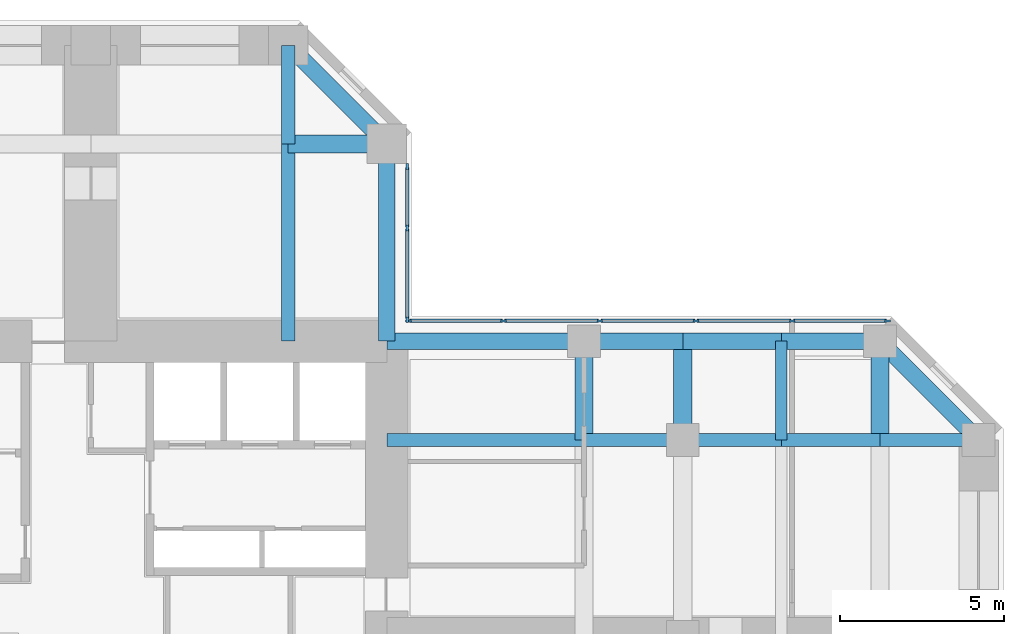
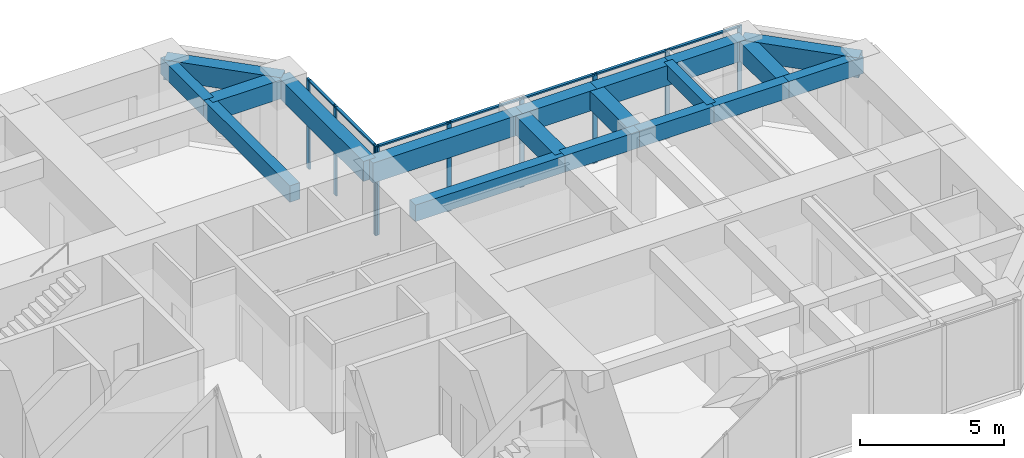
# One storey, part 6 of 12: 19 beams, 16 members, 2 elements without a shape of their own.
"""IFC4 building model written with IfcOpenShell, lengths in metres."""

import ifcopenshell
import ifcopenshell.guid

model = None  # the IFC model being written
_history = None  # IfcOwnerHistory: only IFC2X3 demands one
_inside = {}  # id of a spatial element -> (the spatial element, [elements in it])
_under = {}  # id of a project, library or spatial element -> (it, [spatial elements below it])
_declared = {}  # id of a project -> (the project, [libraries it declares])
_typed = {}  # id of a type object -> (the type object, [elements of that type])
_made_of = {}  # id of a material, layer set ... -> (it, [elements and type objects made of it])


def new_model(schema):
    """Start an empty IFC model of exactly this schema.

    Asked for "IFC4X3", IfcOpenShell would pick the latest addendum, in which some entities
    have other attributes; the version numbers below select the first issue.
    IFC2X3 requires an IfcOwnerHistory on every rooted entity: one is made here for all.
    """
    global model, _history
    if schema == "IFC4X3":
        model = ifcopenshell.file(schema_version=(4, 3, 0, 0))
    else:
        model = ifcopenshell.file(schema=schema)
    _inside.clear()
    _under.clear()
    _declared.clear()
    _typed.clear()
    _made_of.clear()
    _history = None
    if model.schema == "IFC2X3":
        org = make("IfcOrganization", Name="unknown")
        user = make(
            "IfcPersonAndOrganization",
            ThePerson=make("IfcPerson", FamilyName="unknown"),
            TheOrganization=org,
        )
        app = make(
            "IfcApplication",
            ApplicationDeveloper=org,
            Version="unknown",
            ApplicationFullName="unknown",
            ApplicationIdentifier="unknown",
        )
        _history = make(
            "IfcOwnerHistory",
            OwningUser=user,
            OwningApplication=app,
            ChangeAction="ADDED",
            CreationDate=0,
        )
    return model


def make(cls, **values):
    """One entity of the class cls with the attributes given. An attribute that is None is left unset."""
    return model.create_entity(
        cls, **{name: value for name, value in values.items() if value is not None}
    )


def rooted(cls, **values):
    """An entity with a GlobalId (a new one), such as an element, a storey or a relation."""
    return make(cls, GlobalId=ifcopenshell.guid.new(), OwnerHistory=_history, **values)


def si_unit(unit_type, name, prefix=None):
    """IfcSIUnit, for example si_unit("LENGTHUNIT", "METRE", prefix="MILLI")."""
    return make("IfcSIUnit", UnitType=unit_type, Prefix=prefix, Name=name)


def assignment(units):
    """IfcUnitAssignment: the units of a project."""
    return None if units is None else make("IfcUnitAssignment", Units=units)


def point(xyz):
    """IfcCartesianPoint."""
    return None if xyz is None else make("IfcCartesianPoint", Coordinates=xyz)


def direction(xyz):
    """IfcDirection."""
    return None if xyz is None else make("IfcDirection", DirectionRatios=xyz)


def frame(location, z_axis=None, x_axis=None):
    """IfcAxis2Placement3D, a coordinate frame: its origin and axes. An axis left out is left unset."""
    return make(
        "IfcAxis2Placement3D",
        Location=point(location),
        Axis=direction(z_axis),
        RefDirection=direction(x_axis),
    )


def frame_2d(location, x_axis=None):
    """IfcAxis2Placement2D, a coordinate frame in the plane: its origin and x axis."""
    return make(
        "IfcAxis2Placement2D", Location=point(location), RefDirection=direction(x_axis)
    )


def origin():
    """The frame at (0, 0, 0) with its axes left unset."""
    return frame((0.0, 0.0, 0.0))


def origin_2d():
    """The frame at (0, 0) in the plane with its x axis left unset."""
    return frame_2d((0.0, 0.0))


def place(relative_to, where):
    """IfcLocalPlacement: puts the frame where relative to a parent placement (None: the world)."""
    return make(
        "IfcLocalPlacement", PlacementRelTo=relative_to, RelativePlacement=where
    )


def context(
    kind, dimensions, precision=None, world=None, true_north=None, identifier=None
):
    """IfcGeometricRepresentationContext, for example the 3D "Model" context."""
    return make(
        "IfcGeometricRepresentationContext",
        ContextIdentifier=identifier,
        ContextType=kind,
        CoordinateSpaceDimension=dimensions,
        Precision=precision,
        WorldCoordinateSystem=world,
        TrueNorth=true_north,
    )


def subcontext(parent, identifier, kind, view, scale=None):
    """IfcGeometricRepresentationSubContext, for example "Body" below "Model"."""
    return make(
        "IfcGeometricRepresentationSubContext",
        ContextIdentifier=identifier,
        ContextType=kind,
        ParentContext=parent,
        TargetScale=scale,
        TargetView=view,
    )


def project(units=None, contexts=None):
    """IfcProject with its units and contexts."""
    return rooted(
        "IfcProject",
        Name="project",
        RepresentationContexts=contexts,
        UnitsInContext=assignment(units),
    )


def spatial(cls, under=None, at=None, **own):
    """A site, building, storey or space (cls), placed at a placement, below another one or the project."""
    s = rooted(cls, ObjectPlacement=at, **own)
    if under is not None:
        _under.setdefault(under.id(), (under, []))[1].append(s)
    return s


def profile(cls, at=None, kind="AREA", **sizes):
    """A parametric profile (cls). Its sizes go by their IFC names, for example OverallWidth=200.0."""
    return make(cls, ProfileType=kind, Position=at, **sizes)


def rectangle(**sizes):
    """IfcRectangleProfileDef."""
    return profile("IfcRectangleProfileDef", **sizes)


def extrude(swept, where, along, depth):
    """IfcExtrudedAreaSolid: the profile swept, set in the frame where, extruded along a direction by depth."""
    return make(
        "IfcExtrudedAreaSolid",
        SweptArea=swept,
        Position=where,
        ExtrudedDirection=direction(along),
        Depth=depth,
    )


def shape(context_of_items, identifier, shape_type, items):
    """IfcShapeRepresentation: the items that make up one representation, for example the "Body"."""
    return make(
        "IfcShapeRepresentation",
        ContextOfItems=context_of_items,
        RepresentationIdentifier=identifier,
        RepresentationType=shape_type,
        Items=items,
    )


def material(Name=None, Category=None):
    """IfcMaterial."""
    return make("IfcMaterial", Name=Name, Category=Category)


def material_profile(
    of_material, cross_section, Name=None, Category=None, Priority=None
):
    """IfcMaterialProfile: a cross section and its material."""
    return make(
        "IfcMaterialProfile",
        Name=Name,
        Material=of_material,
        Profile=cross_section,
        Priority=Priority,
        Category=Category,
    )


def profile_set(profiles, Name=None, composite=None):
    """IfcMaterialProfileSet."""
    return make(
        "IfcMaterialProfileSet",
        Name=Name,
        MaterialProfiles=profiles,
        CompositeProfile=composite,
    )


def made_of(thing, what):
    """Note that an element or type object is made of a material, layer set ...; save() writes the relation."""
    if what is not None:
        _made_of.setdefault(what.id(), (what, []))[1].append(thing)
    return thing


def type_object(cls, material=None, **own):
    """A type object (cls), such as IfcWallType, which elements share."""
    return made_of(rooted(cls, **own), material)


def element(
    cls,
    number,
    at=None,
    inside=None,
    cuts=None,
    type_object=None,
    material=None,
    context=None,
    identifier="Body",
    shape_type=None,
    held_by="IfcProductDefinitionShape",
    body=None,
    shapes=None,
    **own,
):
    """One element of the class cls, such as IfcWall. Its Tag is "e" and its number.

    at: its placement. inside: the storey or other place that contains it. cuts: it is an
    opening in that element (IfcRelVoidsElement). A single representation is given by context,
    identifier, shape_type and body (its items); several are given by shapes. held_by: the class
    of the entity that holds the representations. save() writes the other relations.
    """
    e = rooted(cls, Tag="e%d" % number, ObjectPlacement=at, **own)
    if body is not None:
        shapes = [shape(context, identifier, shape_type, body)]
    if shapes is not None:
        e.Representation = make(held_by, Representations=shapes)
    if inside is not None:
        _inside.setdefault(inside.id(), (inside, []))[1].append(e)
    if cuts is not None:
        rooted(
            "IfcRelVoidsElement", RelatingBuildingElement=cuts, RelatedOpeningElement=e
        )
    if type_object is not None:
        _typed.setdefault(type_object.id(), (type_object, []))[1].append(e)
    return made_of(e, material)


def aggregate(whole, parts):
    """IfcRelAggregates: a whole, such as a stair, and the parts it consists of."""
    return rooted("IfcRelAggregates", RelatingObject=whole, RelatedObjects=parts)


def save(model, path):
    """Write the relations noted so far, then the file.

    IfcRelAggregates (storeys below a building ...), IfcRelContainedInSpatialStructure (elements
    in a storey), IfcRelDefinesByType, IfcRelAssociatesMaterial and IfcRelDeclares: one each for
    every whole, place, type object, material and project.
    """
    for whole, parts in _under.values():
        aggregate(whole, parts)
    for where, things in _inside.values():
        rooted(
            "IfcRelContainedInSpatialStructure",
            RelatedElements=things,
            RelatingStructure=where,
        )
    for kind, things in _typed.values():
        rooted("IfcRelDefinesByType", RelatedObjects=things, RelatingType=kind)
    for what, things in _made_of.values():
        rooted("IfcRelAssociatesMaterial", RelatedObjects=things, RelatingMaterial=what)
    for by, libraries in _declared.values():
        rooted("IfcRelDeclares", RelatingContext=by, RelatedDefinitions=libraries)
    model.write(path)


model = new_model("IFC4")

# Units and contexts
model_context = context("Model", 3, precision=1e-05, world=origin(), true_north=direction((0.0, 1.0)))
body_context = subcontext(model_context, "Body", "Model", "MODEL_VIEW")
ifc_project = project(units=[si_unit("LENGTHUNIT", "METRE"), si_unit("AREAUNIT", "SQUARE_METRE"), si_unit("VOLUMEUNIT", "CUBIC_METRE"), si_unit("PLANEANGLEUNIT", "RADIAN"), si_unit("MASSUNIT", "GRAM", prefix="KILO")], contexts=[model_context])

# Site, building, storey
site_placement = place(None, origin())
site = spatial("IfcSite", under=ifc_project, at=site_placement, CompositionType="ELEMENT")
building_placement = place(site_placement, origin())
building = spatial("IfcBuilding", under=site, at=building_placement, Name="Torre Cruceta", CompositionType="ELEMENT")
storey_placement = place(building_placement, frame((0.0, 0.0, 112.5)))
storey = spatial("IfcBuildingStorey", under=building, at=storey_placement, Name="L27", CompositionType="ELEMENT", Elevation=112.5)

# Beams
ifc_material_1 = material(Name="Concrete G60 (fck 60 MPa)", Category="concrete")
ifc_material_profile_1 = material_profile(ifc_material_1, rectangle(XDim=0.39990234375, YDim=0.699951171875, at=origin_2d()), Name="RC 400X700")
ifc_profile_set_1 = profile_set([ifc_material_profile_1], Name="Concrete G60 (fck 60 MPa)")
beam_type_1 = type_object("IfcBeamType", Name="COLUMN LINE BEAM RC 400X700", PredefinedType="BEAM", material=ifc_profile_set_1)
beam_1_placement = place(storey_placement, frame((6.0, 9.0, 3.449951171875), z_axis=(0.0, 1.0, 0.0), x_axis=(-1.0, 0.0, 0.0)))
element("IfcBeam", 1, at=beam_1_placement, inside=storey, type_object=beam_type_1, Name="LB5 L27 N col- 1", PredefinedType="BEAM", context=body_context, shape_type="SweptSolid", body=[
    extrude(rectangle(XDim=0.39990234375, YDim=0.699951171875, at=origin_2d()), origin(), (0.0, 0.0, 1.0), 6.0),
])
beam_2_placement = place(storey_placement, frame((6.0, 15.0, 3.449951171875), z_axis=(0.0, 1.0, 0.0), x_axis=(-1.0, 0.0, 0.0)))
element("IfcBeam", 2, at=beam_2_placement, inside=storey, type_object=beam_type_1, Name="LB5 L27 N col- 2", PredefinedType="BEAM", context=body_context, shape_type="SweptSolid", body=[
    extrude(rectangle(XDim=0.39990234375, YDim=0.699951171875, at=origin_2d()), origin(), (0.0, 0.0, 1.0), 3.0),
])
beam_3_placement = place(storey_placement, frame((9.0, 6.0, 3.449951171875), z_axis=(1.0, 0.0, 0.0), x_axis=(0.0, 1.0, 0.0)))
element("IfcBeam", 3, at=beam_3_placement, inside=storey, type_object=beam_type_1, Name="LB5 L27 E col+ 1", PredefinedType="BEAM", context=body_context, shape_type="SweptSolid", body=[
    extrude(rectangle(XDim=0.39990234375, YDim=0.699951171875, at=origin_2d()), origin(), (0.0, 0.0, 1.0), 6.0),
])
for number, where, z_axis, x_axis, name in (
    (4, (15.0, 6.0, 3.449951171875), (1.0, 0.0, 0.0), (0.0, 1.0, 0.0), "LB5 L27 E col+ 2"),
    (5, (18.0, 6.0, 3.449951171875), (1.0, 0.0, 0.0), (0.0, 1.0, 0.0), "LB5 L27 E col+ 3"),
    (6, (21.0, 6.0, 3.449951171875), (1.0, 0.0, 0.0), (0.0, 1.0, 0.0), "LB5 L27 E col+ 4"),
    (7, (24.0, 6.0, 3.449951171875), (1.0, 0.0, 0.0), (0.0, 1.0, 0.0), "LB5 L27 E col+ 5"),
):
    element("IfcBeam", number, at=place(storey_placement, frame(where, z_axis=z_axis, x_axis=x_axis)), inside=storey, type_object=beam_type_1, Name=name, PredefinedType="BEAM", context=body_context, shape_type="SweptSolid", body=[
        extrude(rectangle(XDim=0.39990234375, YDim=0.699951171875, at=origin_2d()), origin(), (0.0, 0.0, 1.0), 3.0),
    ])
ifc_material_2 = material(Name="Concrete G60 (fck 60 MPa)", Category="concrete")
ifc_material_profile_2 = material_profile(ifc_material_2, rectangle(XDim=0.550048828125, YDim=0.800048828125, at=origin_2d()), Name="RC 550X800")
ifc_profile_set_2 = profile_set([ifc_material_profile_2], Name="Concrete G60 (fck 60 MPa)")
beam_type_2 = type_object("IfcBeamType", Name="CROSS BEAM RC 550X800", PredefinedType="BEAM", material=ifc_profile_set_2)
for number, where, z_axis, x_axis, name in (
    (8, (9.0, 15.0, 3.39990234375), (-1.0, 0.0, 0.0), (0.0, -1.0, 0.0), "GB5 L27 N cross15 1"),
    (9, (15.0, 6.0, 3.39990234375), (0.0, 1.0, 0.0), (-1.0, 0.0, 0.0), "GB5 L27 E cross15 4"),
    (10, (18.0, 6.0, 3.39990234375), (0.0, 1.0, 0.0), (-1.0, 0.0, 0.0), "GB5 L27 E cross18 4"),
    (11, (24.0, 6.0, 3.39990234375), (0.0, 1.0, 0.0), (-1.0, 0.0, 0.0), "GB5 L27 E cross24 4"),
):
    element("IfcBeam", number, at=place(storey_placement, frame(where, z_axis=z_axis, x_axis=x_axis)), inside=storey, type_object=beam_type_2, Name=name, PredefinedType="BEAM", context=body_context, shape_type="SweptSolid", body=[
        extrude(rectangle(XDim=0.550048828125, YDim=0.800048828125, at=origin_2d()), origin(), (0.0, 0.0, 1.0), 3.0),
    ])

# Curtain wall, members
ifc_material_3 = material(Name="Aluminium unitised curtain wall", Category="aluminium")
curtain_wall_type = type_object("IfcCurtainWallType", Name="CURTAIN WALL CW-B OFFICE MID RISE", PredefinedType="USERDEFINED", material=ifc_material_3)
curtain_wall_1_placement = place(storey_placement, origin())
curtain_wall_1 = element("IfcCurtainWall", 12, at=curtain_wall_1_placement, inside=storey, type_object=curtain_wall_type, Name="CW-B L27 E side 04", ObjectType="UNITISED", PredefinedType="USERDEFINED")
ifc_material_4 = material(Name="Aluminium mullion", Category="aluminium")
ifc_material_profile_3 = material_profile(ifc_material_4, rectangle(XDim=0.06494140625, YDim=0.179931640625, at=origin_2d()), Name="AL 65X180")
ifc_profile_set_3 = profile_set([ifc_material_profile_3], Name="Aluminium mullion")
member_type_1 = type_object("IfcMemberType", Name="CW-B MULLION 65X180", PredefinedType="MULLION", material=ifc_profile_set_3)
member_1_placement = place(storey_placement, frame((24.224365234375, 9.6201171875, 0.0), z_axis=(0.0, 0.0, 1.0), x_axis=(0.0, -1.0, 0.0)))
member_1 = element("IfcMember", 13, at=member_1_placement, type_object=member_type_1, Name="CW-B mullion 1", PredefinedType="MULLION", context=body_context, shape_type="SweptSolid", body=[
    extrude(rectangle(XDim=0.06494140625, YDim=0.179931640625, at=origin_2d()), origin(), (0.0, 0.0, 1.0), 3.800048828125),
])
member_2_placement = place(storey_placement, frame((21.329345703125, 9.6201171875, 0.0), z_axis=(0.0, 0.0, 1.0), x_axis=(0.0, -1.0, 0.0)))
member_2 = element("IfcMember", 14, at=member_2_placement, type_object=member_type_1, Name="CW-B mullion 2", PredefinedType="MULLION", context=body_context, shape_type="SweptSolid", body=[
    extrude(rectangle(XDim=0.06494140625, YDim=0.179931640625, at=origin_2d()), origin(), (0.0, 0.0, 1.0), 3.800048828125),
])
member_3_placement = place(storey_placement, frame((18.402099609375, 9.6201171875, 0.0), z_axis=(0.0, 0.0, 1.0), x_axis=(0.0, -1.0, 0.0)))
member_3 = element("IfcMember", 15, at=member_3_placement, type_object=member_type_1, Name="CW-B mullion 3", PredefinedType="MULLION", context=body_context, shape_type="SweptSolid", body=[
    extrude(rectangle(XDim=0.06494140625, YDim=0.179931640625, at=origin_2d()), origin(), (0.0, 0.0, 1.0), 3.800048828125),
])
member_4_placement = place(storey_placement, frame((15.474609375, 9.6201171875, 0.0), z_axis=(0.0, 0.0, 1.0), x_axis=(0.0, -1.0, 0.0)))
member_4 = element("IfcMember", 16, at=member_4_placement, type_object=member_type_1, Name="CW-B mullion 4", PredefinedType="MULLION", context=body_context, shape_type="SweptSolid", body=[
    extrude(rectangle(XDim=0.06494140625, YDim=0.179931640625, at=origin_2d()), origin(), (0.0, 0.0, 1.0), 3.800048828125),
])
member_5_placement = place(storey_placement, frame((12.54736328125, 9.6201171875, 0.0), z_axis=(0.0, 0.0, 1.0), x_axis=(0.0, -1.0, 0.0)))
member_5 = element("IfcMember", 17, at=member_5_placement, type_object=member_type_1, Name="CW-B mullion 5", PredefinedType="MULLION", context=body_context, shape_type="SweptSolid", body=[
    extrude(rectangle(XDim=0.06494140625, YDim=0.179931640625, at=origin_2d()), origin(), (0.0, 0.0, 1.0), 3.800048828125),
])
member_6_placement = place(storey_placement, frame((9.652587890625, 9.6201171875, 0.0), z_axis=(0.0, 0.0, 1.0), x_axis=(0.0, -1.0, 0.0)))
member_6 = element("IfcMember", 18, at=member_6_placement, type_object=member_type_1, Name="CW-B mullion 6", PredefinedType="MULLION", context=body_context, shape_type="SweptSolid", body=[
    extrude(rectangle(XDim=0.06494140625, YDim=0.179931640625, at=origin_2d()), origin(), (0.0, 0.0, 1.0), 3.800048828125),
])

curtain_wall_2_placement = place(storey_placement, origin())
curtain_wall_2 = element("IfcCurtainWall", 19, at=curtain_wall_2_placement, inside=storey, type_object=curtain_wall_type, Name="CW-B L27 N side 05", ObjectType="UNITISED", PredefinedType="USERDEFINED")
member_7_placement = place(storey_placement, frame((9.6201171875, 9.652587890625, 0.0), z_axis=(0.0, 0.0, 1.0), x_axis=(-1.0, 0.0, 0.0)))
member_7 = element("IfcMember", 20, at=member_7_placement, type_object=member_type_1, Name="CW-B mullion 1", PredefinedType="MULLION", context=body_context, shape_type="SweptSolid", body=[
    extrude(rectangle(XDim=0.06494140625, YDim=0.179931640625, at=origin_2d()), origin(), (0.0, 0.0, 1.0), 3.800048828125),
])
member_8_placement = place(storey_placement, frame((9.6201171875, 12.4384765625, 0.0), z_axis=(0.0, 0.0, 1.0), x_axis=(-1.0, 0.0, 0.0)))
member_8 = element("IfcMember", 21, at=member_8_placement, type_object=member_type_1, Name="CW-B mullion 2", PredefinedType="MULLION", context=body_context, shape_type="SweptSolid", body=[
    extrude(rectangle(XDim=0.06494140625, YDim=0.179931640625, at=origin_2d()), origin(), (0.0, 0.0, 1.0), 3.800048828125),
])
member_9_placement = place(storey_placement, frame((9.6201171875, 14.30908203125, 0.0), z_axis=(0.0, 0.0, 1.0), x_axis=(-1.0, 0.0, 0.0)))
member_9 = element("IfcMember", 22, at=member_9_placement, type_object=member_type_1, Name="CW-B mullion 3", PredefinedType="MULLION", context=body_context, shape_type="SweptSolid", body=[
    extrude(rectangle(XDim=0.06494140625, YDim=0.179931640625, at=origin_2d()), origin(), (0.0, 0.0, 1.0), 3.800048828125),
])

# Member
ifc_material_5 = material(Name="Aluminium transom", Category="aluminium")
ifc_material_profile_4 = material_profile(ifc_material_5, rectangle(XDim=0.110107421875, YDim=0.06494140625, at=origin_2d()), Name="AL 110X65")
ifc_profile_set_4 = profile_set([ifc_material_profile_4], Name="Aluminium transom")
member_type_2 = type_object("IfcMemberType", Name="CW-B TRANSOM 65X110", PredefinedType="USERDEFINED", material=ifc_profile_set_4)
member_10_placement = place(storey_placement, frame((24.19189453125, 9.6201171875, 3.767578125), z_axis=(-1.0, 0.0, 0.0), x_axis=(0.0, -1.0, 0.0)))
member_10 = element("IfcMember", 23, at=member_10_placement, type_object=member_type_2, Name="CW-B transom 1", ObjectType="TRANSOM", PredefinedType="USERDEFINED", context=body_context, shape_type="SweptSolid", body=[
    extrude(rectangle(XDim=0.110107421875, YDim=0.06494140625, at=origin_2d()), origin(), (0.0, 0.0, 1.0), 2.829833984375),
])

member_11_placement = place(storey_placement, frame((21.296875, 9.6201171875, 3.767578125), z_axis=(-1.0, 0.0, 0.0), x_axis=(0.0, -1.0, 0.0)))
member_11 = element("IfcMember", 24, at=member_11_placement, type_object=member_type_2, Name="CW-B transom 2", ObjectType="TRANSOM", PredefinedType="USERDEFINED", context=body_context, shape_type="SweptSolid", body=[
    extrude(rectangle(XDim=0.110107421875, YDim=0.06494140625, at=origin_2d()), origin(), (0.0, 0.0, 1.0), 2.8623046875),
])

member_12_placement = place(storey_placement, frame((18.36962890625, 9.6201171875, 3.767578125), z_axis=(-1.0, 0.0, 0.0), x_axis=(0.0, -1.0, 0.0)))
member_12 = element("IfcMember", 25, at=member_12_placement, type_object=member_type_2, Name="CW-B transom 3", ObjectType="TRANSOM", PredefinedType="USERDEFINED", context=body_context, shape_type="SweptSolid", body=[
    extrude(rectangle(XDim=0.110107421875, YDim=0.06494140625, at=origin_2d()), origin(), (0.0, 0.0, 1.0), 2.8623046875),
])

member_13_placement = place(storey_placement, frame((15.442138671875, 9.6201171875, 3.767578125), z_axis=(-1.0, 0.0, 0.0), x_axis=(0.0, -1.0, 0.0)))
member_13 = element("IfcMember", 26, at=member_13_placement, type_object=member_type_2, Name="CW-B transom 4", ObjectType="TRANSOM", PredefinedType="USERDEFINED", context=body_context, shape_type="SweptSolid", body=[
    extrude(rectangle(XDim=0.110107421875, YDim=0.06494140625, at=origin_2d()), origin(), (0.0, 0.0, 1.0), 2.8623046875),
])

member_14_placement = place(storey_placement, frame((12.514892578125, 9.6201171875, 3.767578125), z_axis=(-1.0, 0.0, 0.0), x_axis=(0.0, -1.0, 0.0)))
member_14 = element("IfcMember", 27, at=member_14_placement, type_object=member_type_2, Name="CW-B transom 5", ObjectType="TRANSOM", PredefinedType="USERDEFINED", context=body_context, shape_type="SweptSolid", body=[
    extrude(rectangle(XDim=0.110107421875, YDim=0.06494140625, at=origin_2d()), origin(), (0.0, 0.0, 1.0), 2.829833984375),
])

aggregate(curtain_wall_1, [member_1, member_2, member_3, member_4, member_5, member_6, member_10, member_11, member_12, member_13, member_14])

member_15_placement = place(storey_placement, frame((9.6201171875, 9.68505859375, 3.767578125), z_axis=(0.0, 1.0, 0.0), x_axis=(-1.0, 0.0, 0.0)))
member_15 = element("IfcMember", 28, at=member_15_placement, type_object=member_type_2, Name="CW-B transom 1", ObjectType="TRANSOM", PredefinedType="USERDEFINED", context=body_context, shape_type="SweptSolid", body=[
    extrude(rectangle(XDim=0.110107421875, YDim=0.06494140625, at=origin_2d()), origin(), (0.0, 0.0, 1.0), 2.720947265625),
])

member_16_placement = place(storey_placement, frame((9.6201171875, 12.470947265625, 3.767578125), z_axis=(0.0, 1.0, 0.0), x_axis=(-1.0, 0.0, 0.0)))
member_16 = element("IfcMember", 29, at=member_16_placement, type_object=member_type_2, Name="CW-B transom 2", ObjectType="TRANSOM", PredefinedType="USERDEFINED", context=body_context, shape_type="SweptSolid", body=[
    extrude(rectangle(XDim=0.110107421875, YDim=0.06494140625, at=origin_2d()), origin(), (0.0, 0.0, 1.0), 1.8056640625),
])

aggregate(curtain_wall_2, [member_7, member_8, member_9, member_15, member_16])

# Beams
ifc_material_6 = material(Name="Concrete G60 (fck 60 MPa)", Category="concrete")
ifc_material_profile_5 = material_profile(ifc_material_6, rectangle(XDim=0.35009765625, YDim=0.60009765625, at=origin_2d()), Name="RC 350X600")
ifc_profile_set_5 = profile_set([ifc_material_profile_5], Name="Concrete G60 (fck 60 MPa)")
beam_type_3 = type_object("IfcBeamType", Name="SECONDARY BEAM RC 350X600", PredefinedType="JOIST", material=ifc_profile_set_5)
beam_4_placement = place(storey_placement, frame((21.0, 6.0, 3.5), z_axis=(0.0, 1.0, 0.0), x_axis=(-1.0, 0.0, 0.0)))
element("IfcBeam", 30, at=beam_4_placement, inside=storey, type_object=beam_type_3, Name="JB5 L27 E sec21 4", PredefinedType="JOIST", context=body_context, shape_type="SweptSolid", body=[
    extrude(rectangle(XDim=0.35009765625, YDim=0.60009765625, at=origin_2d()), origin(), (0.0, 0.0, 1.0), 3.0),
])
ifc_material_7 = material(Name="Concrete G60 (fck 60 MPa)", Category="concrete")
ifc_material_profile_6 = material_profile(ifc_material_7, rectangle(XDim=0.5, YDim=0.85009765625, at=origin_2d()), Name="RC 500X850")
ifc_profile_set_6 = profile_set([ifc_material_profile_6], Name="Concrete G60 (fck 60 MPa)")
beam_type_4 = type_object("IfcBeamType", Name="SPANDREL BEAM RC 500X850", PredefinedType="SPANDREL", material=ifc_profile_set_6)
beam_5_placement = place(storey_placement, frame((9.0, 9.0, 3.375), z_axis=(0.0, 1.0, 0.0), x_axis=(-1.0, 0.0, 0.0)))
element("IfcBeam", 31, at=beam_5_placement, inside=storey, type_object=beam_type_4, Name="SB5 L27 N side- 1", PredefinedType="SPANDREL", context=body_context, shape_type="SweptSolid", body=[
    extrude(rectangle(XDim=0.5, YDim=0.85009765625, at=origin_2d()), origin(), (0.0, 0.0, 1.0), 6.0),
])
beam_6_placement = place(storey_placement, frame((9.0, 15.0, 3.375), z_axis=(-0.707106781187, 0.707106781187, 0.0), x_axis=(-0.707106781187, -0.707106781187, 0.0)))
element("IfcBeam", 32, at=beam_6_placement, inside=storey, type_object=beam_type_4, Name="SB5 L27 N side- 2", PredefinedType="SPANDREL", context=body_context, shape_type="SweptSolid", body=[
    extrude(rectangle(XDim=0.5, YDim=0.85009765625, at=origin_2d()), origin(), (0.0, 0.0, 1.0), 4.24267578125),
])
beam_7_placement = place(storey_placement, frame((9.0, 9.0, 3.375), z_axis=(1.0, 0.0, 0.0), x_axis=(0.0, 1.0, 0.0)))
element("IfcBeam", 33, at=beam_7_placement, inside=storey, type_object=beam_type_4, Name="SB5 L27 E side+ 1", PredefinedType="SPANDREL", context=body_context, shape_type="SweptSolid", body=[
    extrude(rectangle(XDim=0.5, YDim=0.85009765625, at=origin_2d()), origin(), (0.0, 0.0, 1.0), 6.0),
])
for number, where, z_axis, x_axis, name in (
    (34, (15.0, 9.0, 3.375), (1.0, 0.0, 0.0), (0.0, 1.0, 0.0), "SB5 L27 E side+ 2"),
    (35, (18.0, 9.0, 3.375), (1.0, 0.0, 0.0), (0.0, 1.0, 0.0), "SB5 L27 E side+ 3"),
    (36, (21.0, 9.0, 3.375), (1.0, 0.0, 0.0), (0.0, 1.0, 0.0), "SB5 L27 E side+ 4"),
):
    element("IfcBeam", number, at=place(storey_placement, frame(where, z_axis=z_axis, x_axis=x_axis)), inside=storey, type_object=beam_type_4, Name=name, PredefinedType="SPANDREL", context=body_context, shape_type="SweptSolid", body=[
        extrude(rectangle(XDim=0.5, YDim=0.85009765625, at=origin_2d()), origin(), (0.0, 0.0, 1.0), 3.0),
    ])
beam_8_placement = place(storey_placement, frame((24.0, 9.0, 3.375), z_axis=(0.707106781187, -0.707106781187, 0.0), x_axis=(0.707106781187, 0.707106781187, 0.0)))
element("IfcBeam", 37, at=beam_8_placement, inside=storey, type_object=beam_type_4, Name="SB5 L27 E side+ 5", PredefinedType="SPANDREL", context=body_context, shape_type="SweptSolid", body=[
    extrude(rectangle(XDim=0.5, YDim=0.85009765625, at=origin_2d()), origin(), (0.0, 0.0, 1.0), 4.24267578125),
])

save(model, "model.ifc")
